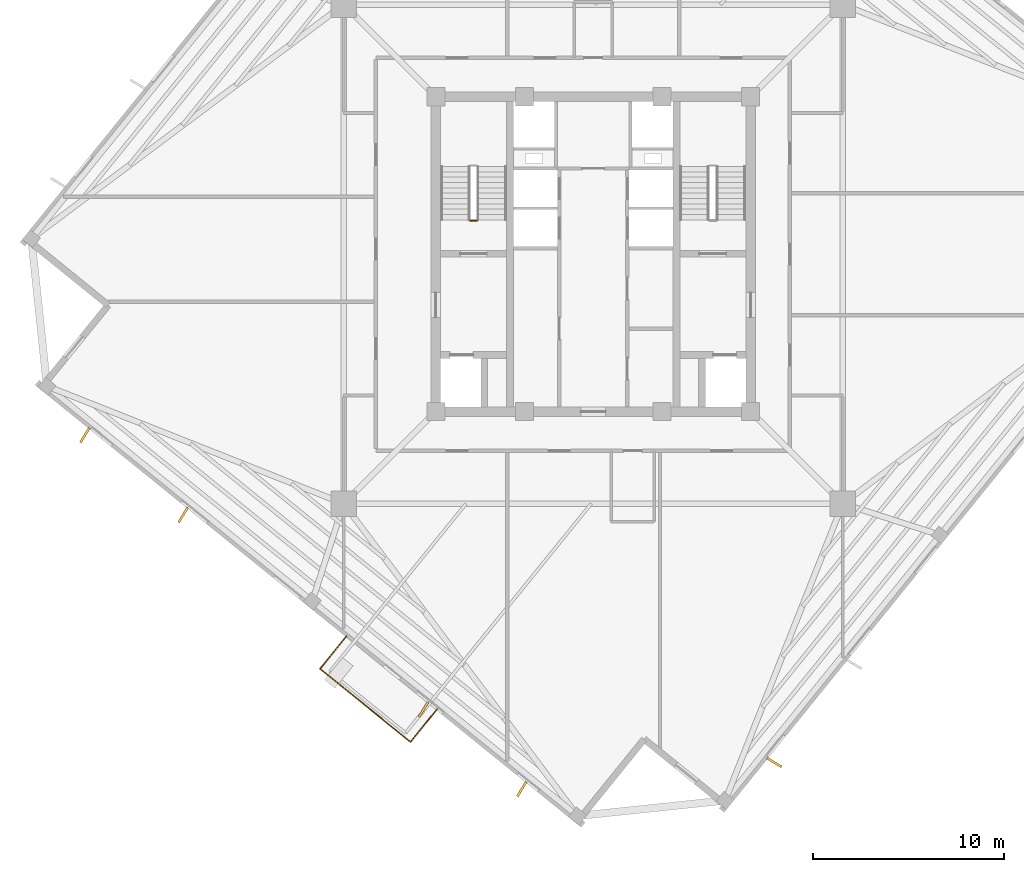
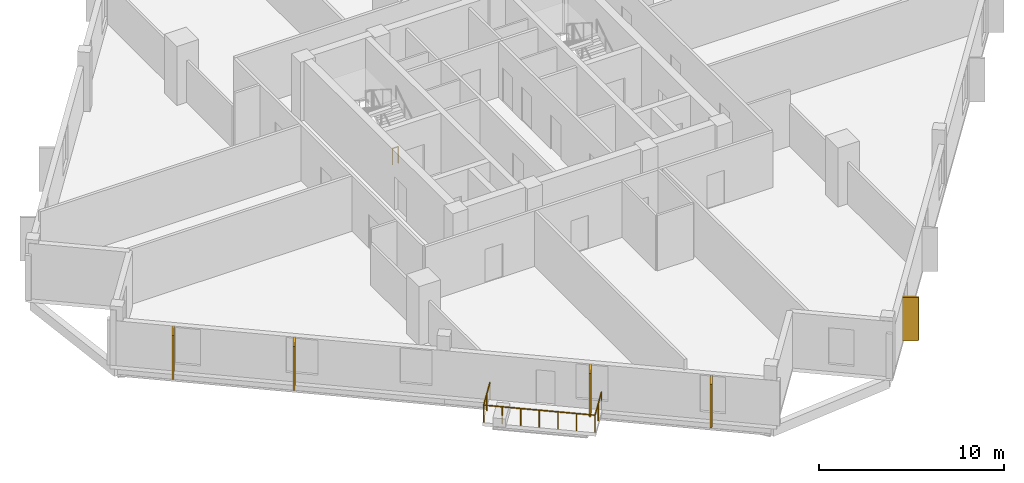
# One storey, part 7 of 10: 5 coverings, 4 railings.
"""IFC4 building model written with IfcOpenShell, lengths in metres."""

from ifc_helpers import new_model, si_unit, direction, frame, origin, origin_2d, place, context, subcontext, project, spatial, rectangle, circle, extrude, source, transform, mapped, material, layer, layer_set, type_object, element, save


model = new_model("IFC4")

# Units and contexts
model_context = context("Model", 3, precision=1e-05, world=origin(), true_north=direction((0.0, 1.0)))
body_context = subcontext(model_context, "Body", "Model", "MODEL_VIEW")
ifc_project = project(units=[si_unit("LENGTHUNIT", "METRE"), si_unit("AREAUNIT", "SQUARE_METRE"), si_unit("VOLUMEUNIT", "CUBIC_METRE"), si_unit("PLANEANGLEUNIT", "RADIAN"), si_unit("MASSUNIT", "GRAM", prefix="KILO"), si_unit("THERMODYNAMICTEMPERATUREUNIT", "KELVIN")], contexts=[model_context])

# Site, building, storey
site_placement = place(None, origin())
site = spatial("IfcSite", under=ifc_project, at=site_placement, CompositionType="ELEMENT")
building_placement = place(site_placement, origin())
building = spatial("IfcBuilding", under=site, at=building_placement, Name="Kosmvard Interchange Tower", CompositionType="ELEMENT")
storey_placement = place(building_placement, frame((0.0, 0.0, 240.699951171875)))
storey = spatial("IfcBuildingStorey", under=building, at=storey_placement, Name="L58", CompositionType="ELEMENT", Elevation=240.699951171875)

# Coverings
ifc_material_1 = material(Name="Architectural anodised aluminium", Category="aluminium")
ifc_layer = layer(ifc_material_1, 0.1201171875, Name="Architectural anodised aluminium")
ifc_layer_set = layer_set([ifc_layer], Name="Architectural anodised aluminium")
covering_type = type_object("IfcCoveringType", Name="Rotating Vertical Sun-Breaker Fin 900x120 Aluminium", PredefinedType="CLADDING", material=ifc_layer_set)
shared_shape_1 = source(origin(), body_context, "Body", "SweptSolid", [
    extrude(rectangle(XDim=0.89990234375, YDim=0.1201171875, at=origin_2d()), origin(), (0.0, 0.0, 1.0), 2.8798828125),
])
for number, where, z_axis, x_axis, name in (
    (1, (9.494384765625, -26.650146484375, 0.0400390625), (0.0, 0.0, 1.0), (0.856176919486, -0.516682767798, 0.0), "L58 Rotating Vertical Sun-Breaker Fin 01"),
    (2, (-26.650146484375, -9.494384765625, 0.0400390625), (0.0, 0.0, 1.0), (-0.516682767798, -0.856176919486, 0.0), "L58 Rotating Vertical Sun-Breaker Fin 13"),
    (3, (-21.49658203125, -13.66748046875, 0.0400390625), (0.0, 0.0, 1.0), (-0.516682767798, -0.856176919486, 0.0), "L58 Rotating Vertical Sun-Breaker Fin 14"),
    (4, (-8.8994140625, -23.86865234375, 0.0400390625), (0.0, 0.0, 1.0), (-0.516682767798, -0.856176919486, 0.0), "L58 Rotating Vertical Sun-Breaker Fin 15"),
    (5, (-3.74609375, -28.041748046875, 0.0400390625), (0.0, 0.0, 1.0), (-0.516682767798, -0.856176919486, 0.0), "L58 Rotating Vertical Sun-Breaker Fin 16"),
):
    element("IfcCovering", number, at=place(storey_placement, frame(where, z_axis=z_axis, x_axis=x_axis)), inside=storey, type_object=covering_type, Name=name, PredefinedType="CLADDING", context=body_context, shape_type="MappedRepresentation", body=[
        mapped(shared_shape_1, transform((0.0, 0.0, 0.0), scale=1.0)),
    ])

# Railings
ifc_material_2 = material(Name="Steel S355", Category="steel")
railing_type_1 = type_object("IfcRailingType", Name="Observation & Balcony Glass-Infill Balustrade 1150", PredefinedType="BALUSTRADE", material=ifc_material_2)
shared_shape_2 = source(origin(), body_context, "Body", "SweptSolid", [
    extrude(circle(Radius=0.02392578125, at=origin_2d()), frame((0.0, 0.0, 1.1259765625), z_axis=(0.629325914736, 0.777141488432, 0.0), x_axis=(-0.777141488432, 0.629325914736, 0.0)), (0.0, 0.0, 1.0), 2.199951171875),
    extrude(circle(Radius=0.02099609375, at=origin_2d()), origin(), (0.0, 0.0, 1.0), 1.101806640625),
    extrude(circle(Radius=0.02099609375, at=origin_2d()), frame((0.6923828125, 0.85498046875, 0.0)), (0.0, 0.0, 1.0), 1.101806640625),
    extrude(circle(Radius=0.02099609375, at=origin_2d()), frame((1.384521484375, 1.709716796875, 0.0)), (0.0, 0.0, 1.0), 1.101806640625),
])
railing_1_placement = place(storey_placement, frame((-9.5771484375, -25.57177734375, 0.0)))
element("IfcRailing", 6, at=railing_1_placement, inside=storey, type_object=railing_type_1, Name="L58 Outdoor Terrace Guard BAL-L58-W-C", PredefinedType="BALUSTRADE", context=body_context, shape_type="MappedRepresentation", body=[
    mapped(shared_shape_2, transform((0.0, 0.0, 0.0), scale=1.0)),
])
shared_shape_3 = source(origin(), body_context, "Body", "SweptSolid", [
    extrude(circle(Radius=0.02392578125, at=origin_2d()), frame((0.0, 0.0, 1.1259765625), z_axis=(-0.629325914736, -0.777141488432, 0.0), x_axis=(0.777141488432, -0.629325914736, 0.0)), (0.0, 0.0, 1.0), 2.199951171875),
    extrude(circle(Radius=0.02099609375, at=origin_2d()), origin(), (0.0, 0.0, 1.0), 1.101806640625),
    extrude(circle(Radius=0.02099609375, at=origin_2d()), frame((-0.6923828125, -0.85498046875, 0.0)), (0.0, 0.0, 1.0), 1.101806640625),
    extrude(circle(Radius=0.02099609375, at=origin_2d()), frame((-1.384521484375, -1.709716796875, 0.0)), (0.0, 0.0, 1.0), 1.101806640625),
])
railing_2_placement = place(storey_placement, frame((-12.93310546875, -20.023193359375, 0.0)))
element("IfcRailing", 7, at=railing_2_placement, inside=storey, type_object=railing_type_1, Name="L58 Outdoor Terrace Guard BAL-L58-W-A", PredefinedType="BALUSTRADE", context=body_context, shape_type="MappedRepresentation", body=[
    mapped(shared_shape_3, transform((0.0, 0.0, 0.0), scale=1.0)),
])
shared_shape_4 = source(origin(), body_context, "Body", "SweptSolid", [
    extrude(circle(Radius=0.02392578125, at=origin_2d()), frame((0.0, 0.0, 1.1259765625), z_axis=(0.777137673017, -0.629330626282, 0.0), x_axis=(0.629330626282, 0.777137673017, 0.0)), (0.0, 0.0, 1.0), 6.099853515625),
    extrude(circle(Radius=0.02099609375, at=origin_2d()), origin(), (0.0, 0.0, 1.0), 1.101806640625),
    extrude(circle(Radius=0.02099609375, at=origin_2d()), frame((0.7900390625, -0.639892578125, 0.0)), (0.0, 0.0, 1.0), 1.101806640625),
    extrude(circle(Radius=0.02099609375, at=origin_2d()), frame((1.580078125, -1.279541015625, 0.0)), (0.0, 0.0, 1.0), 1.101806640625),
    extrude(circle(Radius=0.02099609375, at=origin_2d()), frame((2.3701171875, -1.91943359375, 0.0)), (0.0, 0.0, 1.0), 1.101806640625),
    extrude(circle(Radius=0.02099609375, at=origin_2d()), frame((3.160400390625, -2.559326171875, 0.0)), (0.0, 0.0, 1.0), 1.101806640625),
    extrude(circle(Radius=0.02099609375, at=origin_2d()), frame((3.950439453125, -3.198974609375, 0.0)), (0.0, 0.0, 1.0), 1.101806640625),
    extrude(circle(Radius=0.02099609375, at=origin_2d()), frame((4.740478515625, -3.8388671875, 0.0)), (0.0, 0.0, 1.0), 1.101806640625),
])
railing_3_placement = place(storey_placement, frame((-14.317626953125, -21.73291015625, 0.0)))
element("IfcRailing", 8, at=railing_3_placement, inside=storey, type_object=railing_type_1, Name="L58 Outdoor Terrace Guard BAL-L58-W-B", PredefinedType="BALUSTRADE", context=body_context, shape_type="MappedRepresentation", body=[
    mapped(shared_shape_4, transform((0.0, 0.0, 0.0), scale=1.0)),
])
railing_type_2 = type_object("IfcRailingType", Name="Stair & Terrace Safety Guardrail 1100 Steel", PredefinedType="GUARDRAIL", material=ifc_material_2)
shared_shape_5 = source(origin(), body_context, "Body", "SweptSolid", [
    extrude(circle(Radius=0.02392578125, at=origin_2d()), frame((0.0, 0.0, 1.076171875), z_axis=(-1.0, 0.0, 0.0), x_axis=(0.0, -1.0, 0.0)), (0.0, 0.0, 1.0), 0.35986328125),
    extrude(circle(Radius=0.02099609375, at=origin_2d()), origin(), (0.0, 0.0, 1.0), 1.052001953125),
    extrude(circle(Radius=0.02099609375, at=origin_2d()), frame((-0.35986328125, 0.0, 0.0)), (0.0, 0.0, 1.0), 1.052001953125),
])
railing_4_placement = place(storey_placement, frame((-6.090087890625, 1.75, 0.0)))
element("IfcRailing", 9, at=railing_4_placement, inside=storey, type_object=railing_type_2, Name="L58 ST-1 stair guard 4", PredefinedType="GUARDRAIL", context=body_context, shape_type="MappedRepresentation", body=[
    mapped(shared_shape_5, transform((0.0, 0.0, 0.0), scale=1.0)),
])

save(model, "model.ifc")
